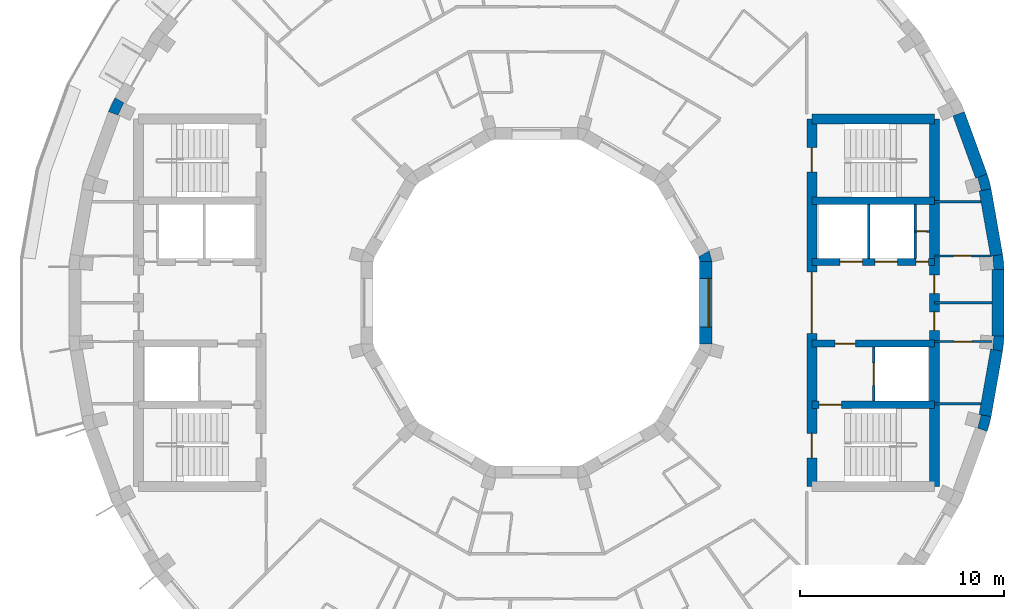
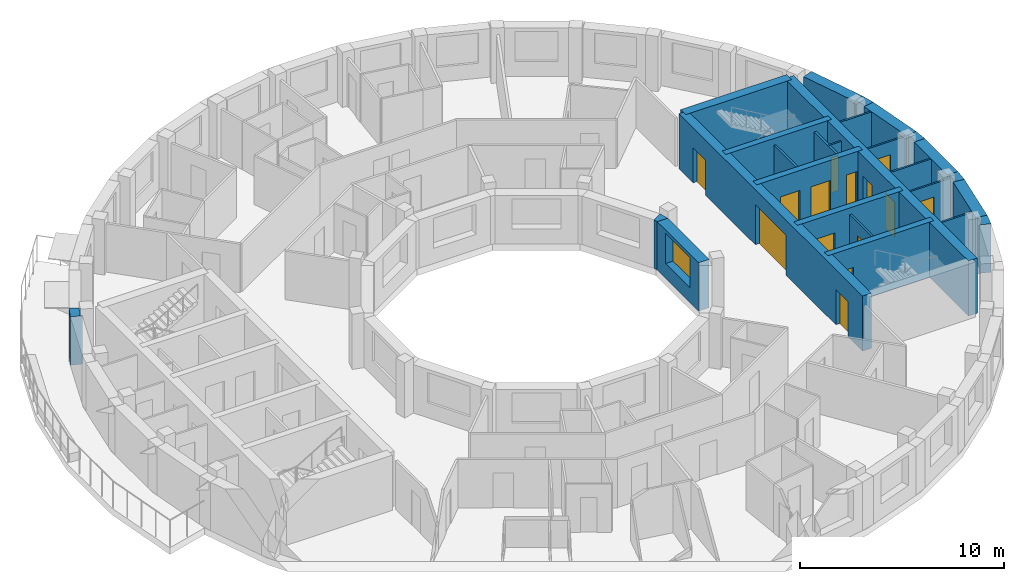
# One storey, part 6 of 10: 27 walls, 14 doors, 1 window, 15 openings.
"""IFC4 building model written with IfcOpenShell, lengths in metres."""

from ifc_helpers import new_model, si_unit, direction, frame, frame_2d, origin, place, context, subcontext, project, spatial, polyline, rectangle, outline, extrude, material, layer, layer_set, type_object, element, fill, save


model = new_model("IFC4")

# Units and contexts
model_context = context("Model", 3, precision=1e-05, world=origin(), true_north=direction((0.0, 1.0)))
body_context = subcontext(model_context, "Body", "Model", "MODEL_VIEW")
ifc_project = project(units=[si_unit("LENGTHUNIT", "METRE"), si_unit("AREAUNIT", "SQUARE_METRE"), si_unit("VOLUMEUNIT", "CUBIC_METRE"), si_unit("PLANEANGLEUNIT", "RADIAN"), si_unit("MASSUNIT", "GRAM", prefix="KILO")], contexts=[model_context])

# Site, building, storey
site_placement = place(None, origin())
site = spatial("IfcSite", under=ifc_project, at=site_placement, CompositionType="ELEMENT")
building_placement = place(site_placement, origin())
building = spatial("IfcBuilding", under=site, at=building_placement, Name="Saqina Gate Tower", CompositionType="ELEMENT")
storey_placement = place(building_placement, frame((0.0, 0.0, 246.199951171875)))
storey = spatial("IfcBuildingStorey", under=building, at=storey_placement, Name="L70", CompositionType="ELEMENT", Elevation=246.199951171875)

# Walls
ifc_material_1 = material(Name="Brick masonry (buff)", Category="masonry")
wall_type_1 = type_object("IfcWallType", Name="BRICK PIER COPING BUFF", PredefinedType="SOLIDWALL", material=ifc_material_1)
wall_1_placement = place(storey_placement, origin())
element("IfcWall", 1, at=wall_1_placement, inside=storey, type_object=wall_type_1, Name="Pier cap L70 column 1", PredefinedType="SOLIDWALL", context=body_context, shape_type="SweptSolid", body=[
    extrude(outline(polyline([(22.91259765625, 1.625732421875), (22.8466796875, 2.377685546875), (22.255859375, 2.2734375), (22.361083984375, 2.28271484375), (22.417724609375, 1.635009765625), (22.3125, 1.625732421875), (22.91259765625, 1.625732421875)])), origin(), (0.0, 0.0, 1.0), 2.900146484375),
])
wall_2_placement = place(storey_placement, origin())
element("IfcWall", 2, at=wall_2_placement, inside=storey, type_object=wall_type_1, Name="Pier cap L70 column 2", PredefinedType="SOLIDWALL", context=body_context, shape_type="SweptSolid", body=[
    extrude(outline(polyline([(22.0869140625, 6.30859375), (21.52294921875, 6.103515625), (21.625, 6.130859375), (21.793212890625, 5.5029296875), (21.691162109375, 5.4755859375), (22.281982421875, 5.579833984375), (22.0869140625, 6.30859375)])), origin(), (0.0, 0.0, 1.0), 2.900146484375),
])
wall_3_placement = place(storey_placement, origin())
element("IfcWall", 3, at=wall_3_placement, inside=storey, type_object=wall_type_1, Name="Pier cap L70 column 16", PredefinedType="SOLIDWALL", context=body_context, shape_type="SweptSolid", body=[
    extrude(outline(polyline([(-20.65576171875, 10.048095703125), (-20.974609375, 9.3642578125), (-20.410888671875, 9.1591796875), (-20.506591796875, 9.203857421875), (-20.23193359375, 9.79296875), (-20.135986328125, 9.748291015625), (-20.65576171875, 10.048095703125)])), origin(), (0.0, 0.0, 1.0), 2.900146484375),
])
wall_4_placement = place(storey_placement, origin())
element("IfcWall", 4, at=wall_4_placement, inside=storey, type_object=wall_type_1, Name="Pier cap L70 column 35", PredefinedType="SOLIDWALL", context=body_context, shape_type="SweptSolid", body=[
    extrude(outline(polyline([(22.281982421875, -5.579833984375), (21.691162109375, -5.4755859375), (21.793212890625, -5.5029296875), (21.625, -6.130859375), (21.52294921875, -6.103515625), (22.0869140625, -6.30859375), (22.281982421875, -5.579833984375)])), origin(), (0.0, 0.0, 1.0), 2.900146484375),
])
wall_5_placement = place(storey_placement, origin())
element("IfcWall", 5, at=wall_5_placement, inside=storey, type_object=wall_type_1, Name="Pier cap L70 column 36", PredefinedType="SOLIDWALL", context=body_context, shape_type="SweptSolid", body=[
    extrude(outline(polyline([(22.8466796875, -2.377685546875), (22.91259765625, -1.625732421875), (22.3125, -1.625732421875), (22.417724609375, -1.635009765625), (22.361083984375, -2.28271484375), (22.255859375, -2.2734375), (22.8466796875, -2.377685546875)])), origin(), (0.0, 0.0, 1.0), 2.900146484375),
])

# Wall, opening, door
ifc_material_2 = material(Name="Gypsum board on steel studs", Category="steel")
ifc_layer_1 = layer(ifc_material_2, 0.10009765625)
ifc_layer_set_1 = layer_set([ifc_layer_1], Name="CORE PARTITION")
wall_type_2 = type_object("IfcWallType", Name="CORE PARTITION", PredefinedType="PARTITIONING", material=ifc_layer_set_1)
wall_6_placement = place(storey_placement, frame((18.56005859375, 3.5, 0.0), z_axis=(0.0, 0.0, 1.0), x_axis=(1.0, 0.0, 0.0)))
wall_6 = element("IfcWall", 6, at=wall_6_placement, inside=storey, type_object=wall_type_2, Name="L70-CP-E01", PredefinedType="PARTITIONING", context=body_context, shape_type="SweptSolid", body=[
    extrude(rectangle(XDim=0.68994140625, YDim=0.10009765625, at=frame_2d((0.344970703125, 0.0))), origin(), (0.0, 0.0, 1.0), 2.900146484375),
])
opening_1_placement = place(wall_6_placement, frame((0.10009765625, 0.0, 0.0)))
opening_1 = element("IfcOpeningElement", 7, at=opening_1_placement, cuts=wall_6, Name="Opening G20-D96", PredefinedType="OPENING", context=body_context, shape_type="SweptSolid", body=[
    extrude(rectangle(XDim=0.449951171875, YDim=2.10009765625, at=frame_2d((0.22509765625, 1.050048828125))), frame((0.0, 0.06201171875, 0.0), z_axis=(0.0, -1.0, 0.0), x_axis=(1.0, 0.0, 0.0)), (0.0, 0.0, 1.0), 0.1240234375),
])
ifc_material_3 = material(Name="Steel-framed fire door leaf, EI 60", Category="steel")
door_type_1 = type_object("IfcDoorType", Name="SERVICE ROOM DOOR 450", OperationType="SINGLE_SWING_LEFT", PredefinedType="DOOR", material=ifc_material_3)
door_1_placement = place(opening_1_placement, origin())
door_1 = element("IfcDoor", 8, at=door_1_placement, inside=storey, type_object=door_type_1, Name="L70-CD-E07", OperationType="SINGLE_SWING_RIGHT", OverallHeight=2.10009765625, OverallWidth=0.449951171875, PredefinedType="DOOR", context=body_context, shape_type="SweptSolid", body=[
    extrude(rectangle(XDim=0.449951171875, YDim=2.10009765625, at=frame_2d((0.22509765625, 1.050048828125))), frame((0.0, 0.02490234375, 0.0), z_axis=(0.0, -1.0, 0.0), x_axis=(1.0, 0.0, 0.0)), (0.0, 0.0, 1.0), 0.050048828125),
])
fill(opening_1, door_1)

# Wall
wall_7_placement = place(storey_placement, frame((19.5, 4.949951171875, 0.0), z_axis=(0.0, 0.0, 1.0), x_axis=(1.0, 0.0, 0.0)))
element("IfcWall", 9, at=wall_7_placement, inside=storey, type_object=wall_type_2, Name="L70-CP-E02", PredefinedType="PARTITIONING", context=body_context, shape_type="SweptSolid", body=[
    extrude(rectangle(XDim=2.283935546875, YDim=0.10009765625, at=frame_2d((1.14208984375, 0.0))), origin(), (0.0, 0.0, 1.0), 2.900146484375),
])

# Wall, opening, door
wall_8_placement = place(storey_placement, frame((19.5, 2.300048828125, 0.0), z_axis=(0.0, 0.0, 1.0), x_axis=(1.0, 0.0, 0.0)))
wall_8 = element("IfcWall", 10, at=wall_8_placement, inside=storey, type_object=wall_type_2, Name="L70-CP-E03", PredefinedType="PARTITIONING", context=body_context, shape_type="SweptSolid", body=[
    extrude(rectangle(XDim=2.751220703125, YDim=0.10009765625, at=frame_2d((1.37548828125, 0.0))), origin(), (0.0, 0.0, 1.0), 2.900146484375),
])
opening_2_placement = place(wall_8_placement, frame((0.925537109375, 0.0, 0.0)))
opening_2 = element("IfcOpeningElement", 11, at=opening_2_placement, cuts=wall_8, Name="Opening G20-D92", PredefinedType="OPENING", context=body_context, shape_type="SweptSolid", body=[
    extrude(rectangle(XDim=0.89990234375, YDim=2.10009765625, at=frame_2d((0.449951171875, 1.050048828125))), frame((0.0, 0.06201171875, 0.0), z_axis=(0.0, -1.0, 0.0), x_axis=(1.0, 0.0, 0.0)), (0.0, 0.0, 1.0), 0.1240234375),
])
ifc_material_4 = material(Name="Steel-framed fire door leaf, EI 60", Category="steel")
door_type_2 = type_object("IfcDoorType", Name="SERVICE ROOM DOOR 900", OperationType="SINGLE_SWING_LEFT", PredefinedType="DOOR", material=ifc_material_4)
door_2_placement = place(opening_2_placement, origin())
door_2 = element("IfcDoor", 12, at=door_2_placement, inside=storey, type_object=door_type_2, Name="L70-CD-E03", OperationType="SINGLE_SWING_LEFT", OverallHeight=2.10009765625, OverallWidth=0.89990234375, PredefinedType="DOOR", context=body_context, shape_type="SweptSolid", body=[
    extrude(rectangle(XDim=0.89990234375, YDim=2.10009765625, at=frame_2d((0.449951171875, 1.050048828125))), frame((0.0, 0.02490234375, 0.0), z_axis=(0.0, -1.0, 0.0), x_axis=(1.0, 0.0, 0.0)), (0.0, 0.0, 1.0), 0.050048828125),
])
fill(opening_2, door_2)

# Wall
wall_9_placement = place(storey_placement, frame((19.5, -4.949951171875, 0.0), z_axis=(0.0, 0.0, 1.0), x_axis=(1.0, 0.0, 0.0)))
element("IfcWall", 13, at=wall_9_placement, inside=storey, type_object=wall_type_2, Name="L70-CP-E04", PredefinedType="PARTITIONING", context=body_context, shape_type="SweptSolid", body=[
    extrude(rectangle(XDim=2.283935546875, YDim=0.10009765625, at=frame_2d((1.14208984375, 0.0))), origin(), (0.0, 0.0, 1.0), 2.900146484375),
])

# Wall, opening, door
wall_10_placement = place(storey_placement, frame((19.5, -1.89990234375, 0.0), z_axis=(0.0, 0.0, 1.0), x_axis=(1.0, 0.0, 0.0)))
wall_10 = element("IfcWall", 14, at=wall_10_placement, inside=storey, type_object=wall_type_2, Name="L70-CP-E05", PredefinedType="PARTITIONING", context=body_context, shape_type="SweptSolid", body=[
    extrude(rectangle(XDim=2.8125, YDim=0.10009765625, at=frame_2d((1.40625, 0.0))), origin(), (0.0, 0.0, 1.0), 2.900146484375),
])
opening_3_placement = place(wall_10_placement, frame((0.956298828125, 0.0, 0.0)))
opening_3 = element("IfcOpeningElement", 15, at=opening_3_placement, cuts=wall_10, Name="Opening G20-D94", PredefinedType="OPENING", context=body_context, shape_type="SweptSolid", body=[
    extrude(rectangle(XDim=0.89990234375, YDim=2.10009765625, at=frame_2d((0.449951171875, 1.050048828125))), frame((0.0, 0.06201171875, 0.0), z_axis=(0.0, -1.0, 0.0), x_axis=(1.0, 0.0, 0.0)), (0.0, 0.0, 1.0), 0.1240234375),
])
door_3_placement = place(opening_3_placement, frame((0.89990234375, 0.0, 0.0), z_axis=(0.0, 0.0, 1.0), x_axis=(-1.0, 0.0, 0.0)))
door_3 = element("IfcDoor", 16, at=door_3_placement, inside=storey, type_object=door_type_2, Name="L70-CD-E05", OperationType="SINGLE_SWING_LEFT", OverallHeight=2.10009765625, OverallWidth=0.89990234375, PredefinedType="DOOR", context=body_context, shape_type="SweptSolid", body=[
    extrude(rectangle(XDim=0.89990234375, YDim=2.10009765625, at=frame_2d((0.449951171875, 1.050048828125))), frame((0.0, 0.02490234375, 0.0), z_axis=(0.0, -1.0, 0.0), x_axis=(1.0, 0.0, 0.0)), (0.0, 0.0, 1.0), 0.050048828125),
])
fill(opening_3, door_3)

# Walls
wall_11_placement = place(storey_placement, frame((19.5, 0.0, 0.0), z_axis=(0.0, 0.0, 1.0), x_axis=(1.0, 0.0, 0.0)))
element("IfcWall", 17, at=wall_11_placement, inside=storey, type_object=wall_type_2, Name="L70-CP-E06", PredefinedType="PARTITIONING", context=body_context, shape_type="SweptSolid", body=[
    extrude(rectangle(XDim=2.8125, YDim=0.10009765625, at=frame_2d((1.40625, 0.0))), origin(), (0.0, 0.0, 1.0), 2.900146484375),
])
ifc_material_5 = material(Name="Glazed ceramic tile", Category="ceramic")
ifc_layer_2 = layer(ifc_material_5, 0.60009765625)
ifc_layer_set_2 = layer_set([ifc_layer_2], Name="FW-TILE")
wall_type_3 = type_object("IfcWallType", Name="FW-TILE", PredefinedType="SOLIDWALL", material=ifc_layer_set_2)
for number, where, z_axis, x_axis, name in (
    (18, (22.55126953125, 2.325439453125, 0.0), (0.0, 0.0, 1.0), (-0.173656842178, 0.984806225186, 0.0), "Facade wall L70 facet 1"),
    (19, (21.986572265625, -5.52783203125, 0.0), (0.0, 0.0, 1.0), (0.173656842178, 0.984806225186, 0.0), "Facade wall L70 facet 35"),
):
    element("IfcWall", number, at=place(storey_placement, frame(where, z_axis=z_axis, x_axis=x_axis)), inside=storey, type_object=wall_type_3, Name=name, PredefinedType="SOLIDWALL", context=body_context, shape_type="SweptSolid", body=[
        extrude(rectangle(XDim=3.251708984375, YDim=0.60009765625, at=frame_2d((1.6259765625, 0.0))), origin(), (0.0, 0.0, 1.0), 2.900146484375),
    ])
ifc_material_6 = material(Name="Glazed ceramic tile (dark blue)", Category="ceramic")
ifc_layer_3 = layer(ifc_material_6, 0.60009765625)
ifc_layer_set_3 = layer_set([ifc_layer_3], Name="FW-TILE-CB")
wall_type_4 = type_object("IfcWallType", Name="FW-TILE-CB", PredefinedType="SOLIDWALL", material=ifc_layer_set_3)
wall_12_placement = place(storey_placement, frame((22.612548828125, -1.625732421875, 0.0), z_axis=(0.0, 0.0, 1.0), x_axis=(0.0, 1.0, 0.0)))
element("IfcWall", 20, at=wall_12_placement, inside=storey, type_object=wall_type_4, Name="Facade wall L70 facet 36", PredefinedType="SOLIDWALL", context=body_context, shape_type="SweptSolid", body=[
    extrude(rectangle(XDim=3.25146484375, YDim=0.60009765625, at=frame_2d((1.625732421875, 0.0))), origin(), (0.0, 0.0, 1.0), 2.900146484375),
])
ifc_material_7 = material(Name="Glazed ceramic tile (white)", Category="ceramic")
ifc_layer_4 = layer(ifc_material_7, 0.60009765625)
ifc_layer_set_4 = layer_set([ifc_layer_4], Name="FW-TILE-WH")
wall_type_5 = type_object("IfcWallType", Name="FW-TILE-WH", PredefinedType="SOLIDWALL", material=ifc_layer_set_4)
wall_13_placement = place(storey_placement, frame((21.804931640625, 6.2060546875, 0.0), z_axis=(0.0, 0.0, 1.0), x_axis=(-0.342056509473, 0.939679383794, 0.0)))
element("IfcWall", 21, at=wall_13_placement, inside=storey, type_object=wall_type_5, Name="Facade wall L70 facet 2", PredefinedType="SOLIDWALL", context=body_context, shape_type="SweptSolid", body=[
    extrude(rectangle(XDim=3.251708984375, YDim=0.60009765625, at=frame_2d((1.6259765625, 0.0))), origin(), (0.0, 0.0, 1.0), 2.900146484375),
])

# Wall, opening, window
ifc_material_8 = material(Name="Glazed ceramic tile", Category="ceramic")
ifc_layer_5 = layer(ifc_material_8, 0.60009765625)
ifc_layer_set_5 = layer_set([ifc_layer_5], Name="IW-TILE")
wall_type_6 = type_object("IfcWallType", Name="IW-TILE", PredefinedType="SOLIDWALL", material=ifc_layer_set_5)
wall_14_placement = place(storey_placement, frame((8.300048828125, -2.029296875, 0.0), z_axis=(0.0, 0.0, 1.0), x_axis=(0.0, 1.0, 0.0)))
wall_14 = element("IfcWall", 22, at=wall_14_placement, inside=storey, type_object=wall_type_6, Name="Well wall L70 facet 12", PredefinedType="SOLIDWALL", context=body_context, shape_type="SweptSolid", body=[
    extrude(rectangle(XDim=4.05859375, YDim=0.60009765625, at=frame_2d((2.029296875, 0.0))), origin(), (0.0, 0.0, 1.0), 2.900146484375),
])
opening_4_placement = place(wall_14_placement, frame((0.829345703125, 0.0, 0.89990234375)))
opening_4 = element("IfcOpeningElement", 23, at=opening_4_placement, cuts=wall_14, Name="Opening G20-W36", PredefinedType="OPENING", context=body_context, shape_type="SweptSolid", body=[
    extrude(rectangle(XDim=2.39990234375, YDim=1.800048828125, at=frame_2d((1.199951171875, 0.89990234375))), frame((0.0, 0.31201171875, 0.0), z_axis=(0.0, -1.0, 0.0), x_axis=(1.0, 0.0, 0.0)), (0.0, 0.0, 1.0), 0.6240234375),
])
ifc_material_9 = material(Name="Aluminium glazing", Category="aluminium")
window_type = type_object("IfcWindowType", Name="WN-W", PartitioningType="SINGLE_PANEL", PredefinedType="WINDOW", material=ifc_material_9)
window_placement = place(opening_4_placement, origin())
window = element("IfcWindow", 24, at=window_placement, inside=storey, type_object=window_type, Name="Well window L70 facet 12", OverallHeight=1.800048828125, OverallWidth=2.39990234375, PartitioningType="SINGLE_PANEL", PredefinedType="WINDOW", context=body_context, shape_type="SweptSolid", body=[
    extrude(rectangle(XDim=2.39990234375, YDim=1.800048828125, at=frame_2d((1.199951171875, 0.89990234375))), frame((0.0, -0.119873046875, 0.0), z_axis=(0.0, -1.0, 0.0), x_axis=(1.0, 0.0, 0.0)), (0.0, 0.0, 1.0), 0.06005859375),
])
fill(opening_4, window)

# Walls
ifc_material_10 = material(Name="Autoclaved aerated concrete block", Category="concrete")
ifc_layer_6 = layer(ifc_material_10, 0.1201171875)
ifc_layer_set_6 = layer_set([ifc_layer_6], Name="SHAFT PARTITION")
wall_type_7 = type_object("IfcWallType", Name="SHAFT PARTITION", PredefinedType="PARTITIONING", material=ifc_layer_set_6)
for number, where, z_axis, x_axis, name in (
    (25, (16.280029296875, 2.175048828125, 0.0), (0.0, 0.0, 1.0), (0.0, 1.0, 0.0), "L70-CP-E07"),
    (26, (18.56005859375, 2.175048828125, 0.0), (0.0, 0.0, 1.0), (0.0, 1.0, 0.0), "L70-CP-E08"),
):
    element("IfcWall", number, at=place(storey_placement, frame(where, z_axis=z_axis, x_axis=x_axis)), inside=storey, type_object=wall_type_7, Name=name, PredefinedType="PARTITIONING", context=body_context, shape_type="SweptSolid", body=[
        extrude(rectangle(XDim=2.64990234375, YDim=0.1201171875, at=frame_2d((1.324951171875, 0.0))), origin(), (0.0, 0.0, 1.0), 2.900146484375),
    ])

# Wall, opening, door
wall_15_placement = place(storey_placement, frame((16.530029296875, -4.824951171875, 0.0), z_axis=(0.0, 0.0, 1.0), x_axis=(0.0, 1.0, 0.0)))
wall_15 = element("IfcWall", 27, at=wall_15_placement, inside=storey, type_object=wall_type_7, Name="L70-CP-E09", PredefinedType="PARTITIONING", context=body_context, shape_type="SweptSolid", body=[
    extrude(rectangle(XDim=2.64990234375, YDim=0.1201171875, at=frame_2d((1.324951171875, 0.0))), origin(), (0.0, 0.0, 1.0), 2.900146484375),
])
opening_5_placement = place(wall_15_placement, frame((0.77490234375, 0.0, 0.0)))
opening_5 = element("IfcOpeningElement", 28, at=opening_5_placement, cuts=wall_15, Name="Opening G20-LD3", PredefinedType="OPENING", context=body_context, shape_type="SweptSolid", body=[
    extrude(rectangle(XDim=1.10009765625, YDim=2.10009765625, at=frame_2d((0.550048828125, 1.050048828125))), frame((0.0, 0.072021484375, 0.0), z_axis=(0.0, -1.0, 0.0), x_axis=(1.0, 0.0, 0.0)), (0.0, 0.0, 1.0), 0.14404296875),
])
ifc_material_11 = material(Name="Stainless steel", Category="steel")
door_type_3 = type_object("IfcDoorType", Name="LANDING DOOR", OperationType="DOUBLE_DOOR_SLIDING", PredefinedType="DOOR", material=ifc_material_11)
door_4_placement = place(opening_5_placement, origin())
door_4 = element("IfcDoor", 29, at=door_4_placement, inside=storey, type_object=door_type_3, Name="LANDING DOOR FF1", OperationType="DOUBLE_DOOR_SLIDING", OverallHeight=2.10009765625, OverallWidth=1.10009765625, PredefinedType="DOOR", context=body_context, shape_type="SweptSolid", body=[
    extrude(rectangle(XDim=1.10009765625, YDim=2.10009765625, at=frame_2d((0.550048828125, 1.050048828125))), frame((0.0, 0.02490234375, 0.0), z_axis=(0.0, -1.0, 0.0), x_axis=(1.0, 0.0, 0.0)), (0.0, 0.0, 1.0), 0.050048828125),
])
fill(opening_5, door_4)

# Wall
ifc_material_12 = material(Name="Concrete C60/75", Category="concrete")
ifc_layer_7 = layer(ifc_material_12, 0.35009765625)
ifc_layer_set_7 = layer_set([ifc_layer_7], Name="Concrete C60/75")
wall_type_8 = type_object("IfcWallType", Name="STR-CORE WALL-D-I", PredefinedType="SHEAR", material=ifc_layer_set_7)
wall_16_placement = place(storey_placement, frame((13.5, 5.0, 0.0), z_axis=(0.0, 0.0, 1.0), x_axis=(1.0, 0.0, 0.0)))
element("IfcWall", 30, at=wall_16_placement, inside=storey, type_object=wall_type_8, Name="CORE WALL L70 E-X1", PredefinedType="SHEAR", context=body_context, shape_type="SweptSolid", body=[
    extrude(rectangle(XDim=6.0, YDim=0.35009765625, at=frame_2d((3.0, 0.0))), origin(), (0.0, 0.0, 1.0), 3.300048828125),
])

# Wall, opening, door
wall_17_placement = place(storey_placement, frame((13.5, -5.0, 0.0), z_axis=(0.0, 0.0, 1.0), x_axis=(1.0, 0.0, 0.0)))
wall_17 = element("IfcWall", 31, at=wall_17_placement, inside=storey, type_object=wall_type_8, Name="CORE WALL L70 E-X2", PredefinedType="SHEAR", context=body_context, shape_type="SweptSolid", body=[
    extrude(rectangle(XDim=6.0, YDim=0.35009765625, at=frame_2d((3.0, 0.0))), origin(), (0.0, 0.0, 1.0), 3.300048828125),
])
opening_6_placement = place(wall_17_placement, frame((0.35009765625, 0.0, 0.0)))
opening_6 = element("IfcOpeningElement", 32, at=opening_6_placement, cuts=wall_17, Name="Opening G20-D97", PredefinedType="OPENING", context=body_context, shape_type="SweptSolid", body=[
    extrude(rectangle(XDim=1.10009765625, YDim=2.10009765625, at=frame_2d((0.550048828125, 1.050048828125))), frame((0.0, 0.18701171875, 0.0), z_axis=(0.0, -1.0, 0.0), x_axis=(1.0, 0.0, 0.0)), (0.0, 0.0, 1.0), 0.3740234375),
])
ifc_material_13 = material(Name="Steel", Category="steel")
door_type_4 = type_object("IfcDoorType", Name="FIRE LOBBY DOOR EI 60 WIDE", OperationType="SINGLE_SWING_LEFT", PredefinedType="DOOR", material=ifc_material_13)
door_5_placement = place(opening_6_placement, frame((1.10009765625, 0.0, 0.0), z_axis=(0.0, 0.0, 1.0), x_axis=(-1.0, 0.0, 0.0)))
door_5 = element("IfcDoor", 33, at=door_5_placement, inside=storey, type_object=door_type_4, Name="L70-CD-E08", OperationType="SINGLE_SWING_RIGHT", OverallHeight=2.10009765625, OverallWidth=1.10009765625, PredefinedType="DOOR", context=body_context, shape_type="SweptSolid", body=[
    extrude(rectangle(XDim=1.10009765625, YDim=2.10009765625, at=frame_2d((0.550048828125, 1.050048828125))), frame((0.0, 0.02490234375, 0.0), z_axis=(0.0, -1.0, 0.0), x_axis=(1.0, 0.0, 0.0)), (0.0, 0.0, 1.0), 0.050048828125),
])
fill(opening_6, door_5)

# Wall, openings, doors
wall_18_placement = place(storey_placement, frame((13.5, 2.0, 0.0), z_axis=(0.0, 0.0, 1.0), x_axis=(1.0, 0.0, 0.0)))
wall_18 = element("IfcWall", 34, at=wall_18_placement, inside=storey, type_object=wall_type_8, Name="CORE WALL L70 E-L1", PredefinedType="SHEAR", context=body_context, shape_type="SweptSolid", body=[
    extrude(rectangle(XDim=6.0, YDim=0.35009765625, at=frame_2d((3.0, 0.0))), origin(), (0.0, 0.0, 1.0), 3.300048828125),
])
opening_7_placement = place(wall_18_placement, frame((1.3701171875, 0.0, 0.0)))
opening_7 = element("IfcOpeningElement", 35, at=opening_7_placement, cuts=wall_18, Name="Opening G20-LD1", PredefinedType="OPENING", context=body_context, shape_type="SweptSolid", body=[
    extrude(rectangle(XDim=1.10009765625, YDim=2.10009765625, at=frame_2d((0.550048828125, 1.050048828125))), frame((0.0, 0.18701171875, 0.0), z_axis=(0.0, -1.0, 0.0), x_axis=(1.0, 0.0, 0.0)), (0.0, 0.0, 1.0), 0.3740234375),
])
opening_8_placement = place(wall_18_placement, frame((3.090087890625, 0.0, 0.0)))
opening_8 = element("IfcOpeningElement", 36, at=opening_8_placement, cuts=wall_18, Name="Opening G20-LD2", PredefinedType="OPENING", context=body_context, shape_type="SweptSolid", body=[
    extrude(rectangle(XDim=1.10009765625, YDim=2.10009765625, at=frame_2d((0.550048828125, 1.050048828125))), frame((0.0, 0.18701171875, 0.0), z_axis=(0.0, -1.0, 0.0), x_axis=(1.0, 0.0, 0.0)), (0.0, 0.0, 1.0), 0.3740234375),
])
opening_9_placement = place(wall_18_placement, frame((5.10498046875, 0.0, 0.0)))
opening_9 = element("IfcOpeningElement", 37, at=opening_9_placement, cuts=wall_18, Name="Opening G20-D90", PredefinedType="OPENING", context=body_context, shape_type="SweptSolid", body=[
    extrude(rectangle(XDim=0.60009765625, YDim=2.10009765625, at=frame_2d((0.300048828125, 1.050048828125))), frame((0.0, 0.18701171875, 0.0), z_axis=(0.0, -1.0, 0.0), x_axis=(1.0, 0.0, 0.0)), (0.0, 0.0, 1.0), 0.3740234375),
])
door_6_placement = place(opening_7_placement, origin())
door_6 = element("IfcDoor", 38, at=door_6_placement, inside=storey, type_object=door_type_3, Name="LANDING DOOR HR1", OperationType="DOUBLE_DOOR_SLIDING", OverallHeight=2.10009765625, OverallWidth=1.10009765625, PredefinedType="DOOR", context=body_context, shape_type="SweptSolid", body=[
    extrude(rectangle(XDim=1.10009765625, YDim=2.10009765625, at=frame_2d((0.550048828125, 1.050048828125))), frame((0.0, 0.02490234375, 0.0), z_axis=(0.0, -1.0, 0.0), x_axis=(1.0, 0.0, 0.0)), (0.0, 0.0, 1.0), 0.050048828125),
])
fill(opening_7, door_6)
door_7_placement = place(opening_8_placement, origin())
door_7 = element("IfcDoor", 39, at=door_7_placement, inside=storey, type_object=door_type_3, Name="LANDING DOOR HR2", OperationType="DOUBLE_DOOR_SLIDING", OverallHeight=2.10009765625, OverallWidth=1.10009765625, PredefinedType="DOOR", context=body_context, shape_type="SweptSolid", body=[
    extrude(rectangle(XDim=1.10009765625, YDim=2.10009765625, at=frame_2d((0.550048828125, 1.050048828125))), frame((0.0, 0.02490234375, 0.0), z_axis=(0.0, -1.0, 0.0), x_axis=(1.0, 0.0, 0.0)), (0.0, 0.0, 1.0), 0.050048828125),
])
fill(opening_8, door_7)
ifc_material_14 = material(Name="Steel-framed fire door leaf, EI 60", Category="steel")
door_type_5 = type_object("IfcDoorType", Name="SERVICE ROOM DOOR 600", OperationType="SINGLE_SWING_LEFT", PredefinedType="DOOR", material=ifc_material_14)
door_8_placement = place(opening_9_placement, origin())
door_8 = element("IfcDoor", 40, at=door_8_placement, inside=storey, type_object=door_type_5, Name="L70-CD-E01", OperationType="SINGLE_SWING_RIGHT", OverallHeight=2.10009765625, OverallWidth=0.60009765625, PredefinedType="DOOR", context=body_context, shape_type="SweptSolid", body=[
    extrude(rectangle(XDim=0.60009765625, YDim=2.10009765625, at=frame_2d((0.300048828125, 1.050048828125))), frame((0.0, 0.02490234375, 0.0), z_axis=(0.0, -1.0, 0.0), x_axis=(1.0, 0.0, 0.0)), (0.0, 0.0, 1.0), 0.050048828125),
])
fill(opening_9, door_8)

# Wall, opening, door
wall_19_placement = place(storey_placement, frame((13.5, -2.0, 0.0), z_axis=(0.0, 0.0, 1.0), x_axis=(1.0, 0.0, 0.0)))
wall_19 = element("IfcWall", 41, at=wall_19_placement, inside=storey, type_object=wall_type_8, Name="CORE WALL L70 E-L2", PredefinedType="SHEAR", context=body_context, shape_type="SweptSolid", body=[
    extrude(rectangle(XDim=6.0, YDim=0.35009765625, at=frame_2d((3.0, 0.0))), origin(), (0.0, 0.0, 1.0), 3.300048828125),
])
opening_10_placement = place(wall_19_placement, frame((1.139892578125, 0.0, 0.0)))
opening_10 = element("IfcOpeningElement", 42, at=opening_10_placement, cuts=wall_19, Name="Opening G20-D91", PredefinedType="OPENING", context=body_context, shape_type="SweptSolid", body=[
    extrude(rectangle(XDim=1.0, YDim=2.10009765625, at=frame_2d((0.5, 1.050048828125))), frame((0.0, 0.18701171875, 0.0), z_axis=(0.0, -1.0, 0.0), x_axis=(1.0, 0.0, 0.0)), (0.0, 0.0, 1.0), 0.3740234375),
])
ifc_material_15 = material(Name="Steel", Category="steel")
door_type_6 = type_object("IfcDoorType", Name="FIRE LOBBY DOOR EI 60", OperationType="SINGLE_SWING_LEFT", PredefinedType="DOOR", material=ifc_material_15)
door_9_placement = place(opening_10_placement, origin())
door_9 = element("IfcDoor", 43, at=door_9_placement, inside=storey, type_object=door_type_6, Name="L70-CD-E02", OperationType="SINGLE_SWING_LEFT", OverallHeight=2.10009765625, OverallWidth=1.0, PredefinedType="DOOR", context=body_context, shape_type="SweptSolid", body=[
    extrude(rectangle(XDim=1.0, YDim=2.10009765625, at=frame_2d((0.5, 1.050048828125))), frame((0.0, 0.02490234375, 0.0), z_axis=(0.0, -1.0, 0.0), x_axis=(1.0, 0.0, 0.0)), (0.0, 0.0, 1.0), 0.050048828125),
])
fill(opening_10, door_9)

# Wall, openings, doors
ifc_material_16 = material(Name="Concrete C60/75", Category="concrete")
ifc_layer_8 = layer(ifc_material_16, 0.5)
ifc_layer_set_8 = layer_set([ifc_layer_8], Name="Concrete C60/75")
wall_type_9 = type_object("IfcWallType", Name="STR-CORE WALL-D-O", PredefinedType="SHEAR", material=ifc_layer_set_8)
wall_20_placement = place(storey_placement, frame((13.5, -9.0, 0.0), z_axis=(0.0, 0.0, 1.0), x_axis=(0.0, 1.0, 0.0)))
wall_20 = element("IfcWall", 44, at=wall_20_placement, inside=storey, type_object=wall_type_9, Name="CORE WALL L70 E-W1", PredefinedType="SHEAR", context=body_context, shape_type="SweptSolid", body=[
    extrude(rectangle(XDim=18.0, YDim=0.5, at=frame_2d((9.0, 0.0))), origin(), (0.0, 0.0, 1.0), 3.300048828125),
])
opening_11_placement = place(wall_20_placement, frame((15.39990234375, 0.0, 0.0)))
opening_11 = element("IfcOpeningElement", 45, at=opening_11_placement, cuts=wall_20, Name="Opening G20-D98", PredefinedType="OPENING", context=body_context, shape_type="SweptSolid", body=[
    extrude(rectangle(XDim=1.199951171875, YDim=2.10009765625, at=frame_2d((0.60009765625, 1.050048828125))), frame((0.0, 0.261962890625, 0.0), z_axis=(0.0, -1.0, 0.0), x_axis=(1.0, 0.0, 0.0)), (0.0, 0.0, 1.0), 0.52392578125),
])
opening_12_placement = place(wall_20_placement, frame((1.39990234375, 0.0, 0.0)))
opening_12 = element("IfcOpeningElement", 46, at=opening_12_placement, cuts=wall_20, Name="Opening G20-D99", PredefinedType="OPENING", context=body_context, shape_type="SweptSolid", body=[
    extrude(rectangle(XDim=1.199951171875, YDim=2.10009765625, at=frame_2d((0.60009765625, 1.050048828125))), frame((0.0, 0.261962890625, 0.0), z_axis=(0.0, -1.0, 0.0), x_axis=(1.0, 0.0, 0.0)), (0.0, 0.0, 1.0), 0.52392578125),
])
opening_13_placement = place(wall_20_placement, frame((7.5, 0.0, 0.0)))
opening_13 = element("IfcOpeningElement", 47, at=opening_13_placement, cuts=wall_20, Name="Opening G20-D100", PredefinedType="OPENING", context=body_context, shape_type="SweptSolid", body=[
    extrude(rectangle(XDim=3.0, YDim=2.39990234375, at=frame_2d((1.5, 1.199951171875))), frame((0.0, 0.261962890625, 0.0), z_axis=(0.0, -1.0, 0.0), x_axis=(1.0, 0.0, 0.0)), (0.0, 0.0, 1.0), 0.52392578125),
])
ifc_material_17 = material(Name="Steel", Category="steel")
door_type_7 = type_object("IfcDoorType", Name="FIRE DOOR EI 60", OperationType="SINGLE_SWING_LEFT", PredefinedType="DOOR", material=ifc_material_17)
door_10_placement = place(opening_11_placement, frame((1.199951171875, 0.0, 0.0), z_axis=(0.0, 0.0, 1.0), x_axis=(-1.0, 0.0, 0.0)))
door_10 = element("IfcDoor", 48, at=door_10_placement, inside=storey, type_object=door_type_7, Name="L70-CD-E09", OperationType="SINGLE_SWING_LEFT", OverallHeight=2.10009765625, OverallWidth=1.199951171875, PredefinedType="DOOR", context=body_context, shape_type="SweptSolid", body=[
    extrude(rectangle(XDim=1.199951171875, YDim=2.10009765625, at=frame_2d((0.60009765625, 1.050048828125))), frame((0.0, 0.02490234375, 0.0), z_axis=(0.0, -1.0, 0.0), x_axis=(1.0, 0.0, 0.0)), (0.0, 0.0, 1.0), 0.050048828125),
])
fill(opening_11, door_10)
door_11_placement = place(opening_12_placement, frame((1.199951171875, 0.0, 0.0), z_axis=(0.0, 0.0, 1.0), x_axis=(-1.0, 0.0, 0.0)))
door_11 = element("IfcDoor", 49, at=door_11_placement, inside=storey, type_object=door_type_7, Name="L70-CD-E10", OperationType="SINGLE_SWING_RIGHT", OverallHeight=2.10009765625, OverallWidth=1.199951171875, PredefinedType="DOOR", context=body_context, shape_type="SweptSolid", body=[
    extrude(rectangle(XDim=1.199951171875, YDim=2.10009765625, at=frame_2d((0.60009765625, 1.050048828125))), frame((0.0, 0.02490234375, 0.0), z_axis=(0.0, -1.0, 0.0), x_axis=(1.0, 0.0, 0.0)), (0.0, 0.0, 1.0), 0.050048828125),
])
fill(opening_12, door_11)
ifc_material_18 = material(Name="Steel and fire-resisting glass", Category="steel")
door_type_8 = type_object("IfcDoorType", Name="LOBBY SCREEN DOOR", OperationType="DOUBLE_DOOR_SLIDING", PredefinedType="DOOR", material=ifc_material_18)
door_12_placement = place(opening_13_placement, origin())
door_12 = element("IfcDoor", 50, at=door_12_placement, inside=storey, type_object=door_type_8, Name="L70-CD-E11", OperationType="DOUBLE_DOOR_SLIDING", OverallHeight=2.39990234375, OverallWidth=3.0, PredefinedType="DOOR", context=body_context, shape_type="SweptSolid", body=[
    extrude(rectangle(XDim=3.0, YDim=2.39990234375, at=frame_2d((1.5, 1.199951171875))), frame((0.0, 0.02490234375, 0.0), z_axis=(0.0, -1.0, 0.0), x_axis=(1.0, 0.0, 0.0)), (0.0, 0.0, 1.0), 0.050048828125),
])
fill(opening_13, door_12)

wall_21_placement = place(storey_placement, frame((19.5, -9.0, 0.0), z_axis=(0.0, 0.0, 1.0), x_axis=(0.0, 1.0, 0.0)))
wall_21 = element("IfcWall", 51, at=wall_21_placement, inside=storey, type_object=wall_type_9, Name="CORE WALL L70 E-W2", PredefinedType="SHEAR", context=body_context, shape_type="SweptSolid", body=[
    extrude(rectangle(XDim=18.0, YDim=0.5, at=frame_2d((9.0, 0.0))), origin(), (0.0, 0.0, 1.0), 3.300048828125),
])
opening_14_placement = place(wall_21_placement, frame((9.449951171875, 0.0, 0.0)))
opening_14 = element("IfcOpeningElement", 52, at=opening_14_placement, cuts=wall_21, Name="Opening G20-D93", PredefinedType="OPENING", context=body_context, shape_type="SweptSolid", body=[
    extrude(rectangle(XDim=0.89990234375, YDim=2.10009765625, at=frame_2d((0.449951171875, 1.050048828125))), frame((0.0, 0.261962890625, 0.0), z_axis=(0.0, -1.0, 0.0), x_axis=(1.0, 0.0, 0.0)), (0.0, 0.0, 1.0), 0.52392578125),
])
opening_15_placement = place(wall_21_placement, frame((7.64990234375, 0.0, 0.0)))
opening_15 = element("IfcOpeningElement", 53, at=opening_15_placement, cuts=wall_21, Name="Opening G20-D95", PredefinedType="OPENING", context=body_context, shape_type="SweptSolid", body=[
    extrude(rectangle(XDim=0.89990234375, YDim=2.10009765625, at=frame_2d((0.449951171875, 1.050048828125))), frame((0.0, 0.261962890625, 0.0), z_axis=(0.0, -1.0, 0.0), x_axis=(1.0, 0.0, 0.0)), (0.0, 0.0, 1.0), 0.52392578125),
])
door_13_placement = place(opening_14_placement, frame((0.89990234375, 0.0, 0.0), z_axis=(0.0, 0.0, 1.0), x_axis=(-1.0, 0.0, 0.0)))
door_13 = element("IfcDoor", 54, at=door_13_placement, inside=storey, type_object=door_type_2, Name="L70-CD-E04", OperationType="SINGLE_SWING_RIGHT", OverallHeight=2.10009765625, OverallWidth=0.89990234375, PredefinedType="DOOR", context=body_context, shape_type="SweptSolid", body=[
    extrude(rectangle(XDim=0.89990234375, YDim=2.10009765625, at=frame_2d((0.449951171875, 1.050048828125))), frame((0.0, 0.02490234375, 0.0), z_axis=(0.0, -1.0, 0.0), x_axis=(1.0, 0.0, 0.0)), (0.0, 0.0, 1.0), 0.050048828125),
])
fill(opening_14, door_13)
door_14_placement = place(opening_15_placement, frame((0.89990234375, 0.0, 0.0), z_axis=(0.0, 0.0, 1.0), x_axis=(-1.0, 0.0, 0.0)))
door_14 = element("IfcDoor", 55, at=door_14_placement, inside=storey, type_object=door_type_2, Name="L70-CD-E06", OperationType="SINGLE_SWING_RIGHT", OverallHeight=2.10009765625, OverallWidth=0.89990234375, PredefinedType="DOOR", context=body_context, shape_type="SweptSolid", body=[
    extrude(rectangle(XDim=0.89990234375, YDim=2.10009765625, at=frame_2d((0.449951171875, 1.050048828125))), frame((0.0, 0.02490234375, 0.0), z_axis=(0.0, -1.0, 0.0), x_axis=(1.0, 0.0, 0.0)), (0.0, 0.0, 1.0), 0.050048828125),
])
fill(opening_15, door_14)

# Walls
wall_22_placement = place(storey_placement, frame((13.5, 9.0, 0.0), z_axis=(0.0, 0.0, 1.0), x_axis=(1.0, 0.0, 0.0)))
element("IfcWall", 56, at=wall_22_placement, inside=storey, type_object=wall_type_9, Name="CORE WALL L70 E-NE", PredefinedType="SHEAR", context=body_context, shape_type="SweptSolid", body=[
    extrude(rectangle(XDim=6.0, YDim=0.5, at=frame_2d((3.0, 0.0))), origin(), (0.0, 0.0, 1.0), 3.300048828125),
])
ifc_material_19 = material(Name="Glazed ceramic tile", Category="ceramic")
wall_type_10 = type_object("IfcWallType", Name="TILE PIER COPING", PredefinedType="SOLIDWALL", material=ifc_material_19)
wall_23_placement = place(storey_placement, origin())
element("IfcWall", 57, at=wall_23_placement, inside=storey, type_object=wall_type_10, Name="Well pier cap L70 column 1", PredefinedType="SOLIDWALL", context=body_context, shape_type="SweptSolid", body=[
    extrude(outline(polyline([(8.46240234375, 2.54248046875), (7.94287109375, 2.242431640625), (8.0, 2.029296875), (8.60009765625, 2.029296875), (8.46240234375, 2.54248046875)])), origin(), (0.0, 0.0, 1.0), 2.900146484375),
])

save(model, "model.ifc")
